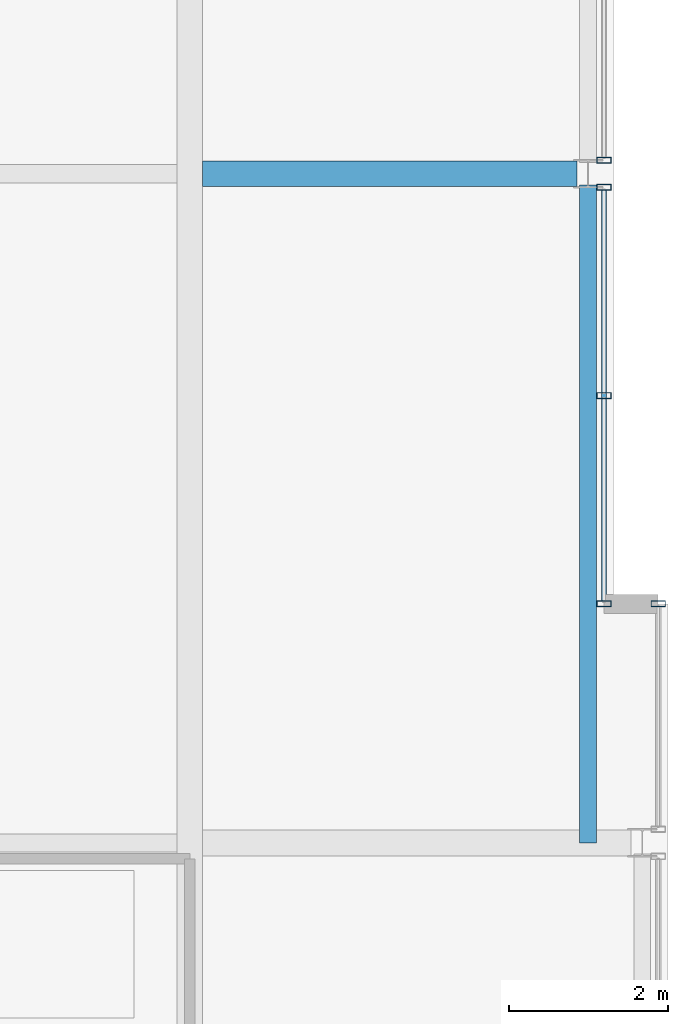
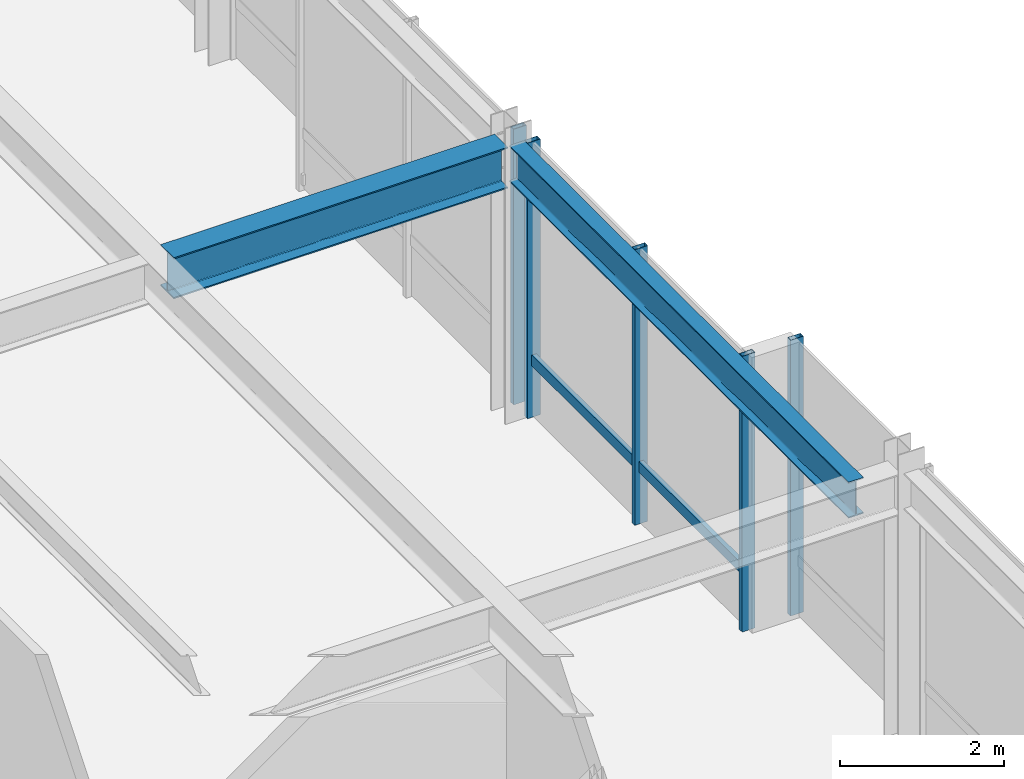
# One storey, part 19 of 34: 6 members, 2 beams, 3 elements without a shape of their own.
"""IFC4 building model written with IfcOpenShell, lengths in metres."""

from ifc_helpers import new_model, si_unit, direction, frame, origin, origin_2d, place, context, subcontext, project, spatial, hollow_rectangle, i_section, extrude, material, layer, layer_set, material_profile, profile_set, type_object, element, aggregate, save


model = new_model("IFC4")

# Units and contexts
model_context = context("Model", 3, precision=1e-05, world=origin(), true_north=direction((0.0, 1.0)))
body_context = subcontext(model_context, "Body", "Model", "MODEL_VIEW")
ifc_project = project(units=[si_unit("LENGTHUNIT", "METRE"), si_unit("AREAUNIT", "SQUARE_METRE"), si_unit("VOLUMEUNIT", "CUBIC_METRE"), si_unit("PLANEANGLEUNIT", "RADIAN"), si_unit("MASSUNIT", "GRAM", prefix="KILO")], contexts=[model_context])

# Site, building, storey
site_placement = place(None, origin())
site = spatial("IfcSite", under=ifc_project, at=site_placement, CompositionType="ELEMENT")
building_placement = place(site_placement, origin())
building = spatial("IfcBuilding", under=site, at=building_placement, Name="Drelvath Grand Hotel", CompositionType="ELEMENT")
storey_placement = place(building_placement, frame((0.0, 0.0, 294.199951171875)))
storey = spatial("IfcBuildingStorey", under=building, at=storey_placement, Name="L77", CompositionType="ELEMENT", Elevation=294.199951171875)

# Curtain wall, members
ifc_material_1 = material(Name="Platinum-Mist Anodised Aluminium Frame", Category="aluminium")
ifc_layer = layer(ifc_material_1, 0.199951171875)
ifc_layer_set = layer_set([ifc_layer], Name="Platinum-Mist Anodised Aluminium Frame")
curtain_wall_type = type_object("IfcCurtainWallType", Name="Stick Curtain Wall CW-05 Platinum Mist High-Rise", PredefinedType="NOTDEFINED", material=ifc_layer_set)
curtain_wall_1_placement = place(storey_placement, origin())
curtain_wall_1 = element("IfcCurtainWall", 1, at=curtain_wall_1_placement, inside=storey, type_object=curtain_wall_type, Name="L77 CW-05 Curtain Wall CW05-L77-EM1", PredefinedType="NOTDEFINED")
ifc_material_profile_1 = material_profile(ifc_material_1, hollow_rectangle(XDim=0.06494140625, YDim=0.159912109375, WallThickness=0.00390625, at=origin_2d()), Name="HSS160X65X4")
ifc_profile_set_1 = profile_set([ifc_material_profile_1], Name="Platinum-Mist Anodised Aluminium Frame")
member_type_1 = type_object("IfcMemberType", Name="Curtain Wall Horizontal Transom CW-05 HSS160X65X4", PredefinedType="USERDEFINED", material=ifc_profile_set_1)
member_1_placement = place(storey_placement, frame((21.39990234375, 26.7900390625, 0.85009765625), z_axis=(0.0, -1.0, 0.0), x_axis=(1.0, 0.0, 0.0)))
member_1 = element("IfcMember", 2, at=member_1_placement, type_object=member_type_1, Name="CW05-L77-EM1 Sill Transom", ObjectType="TRANSOM", PredefinedType="USERDEFINED", context=body_context, shape_type="SweptSolid", body=[
    extrude(hollow_rectangle(XDim=0.06494140625, YDim=0.159912109375, WallThickness=0.00390625, at=origin_2d()), origin(), (0.0, 0.0, 1.0), 5.150146484375),
])
ifc_material_profile_2 = material_profile(ifc_material_1, hollow_rectangle(XDim=0.074951171875, YDim=0.179931640625, WallThickness=0.0048828125, at=origin_2d()), Name="HSS180X75X5")
ifc_profile_set_2 = profile_set([ifc_material_profile_2], Name="Platinum-Mist Anodised Aluminium Frame")
member_type_2 = type_object("IfcMemberType", Name="Curtain Wall Vertical Mullion CW-05 HSS180X75X5", PredefinedType="MULLION", material=ifc_profile_set_2)
member_2_placement = place(storey_placement, frame((21.39990234375, 26.830078125, 0.0), z_axis=(0.0, 0.0, 1.0), x_axis=(0.0, 1.0, 0.0)))
member_2 = element("IfcMember", 3, at=member_2_placement, type_object=member_type_2, Name="CW05-L77-EM1 Mullion 1", PredefinedType="MULLION", context=body_context, shape_type="SweptSolid", body=[
    extrude(hollow_rectangle(XDim=0.074951171875, YDim=0.179931640625, WallThickness=0.0048828125, at=origin_2d()), origin(), (0.0, 0.0, 1.0), 4.10009765625),
])
member_3_placement = place(storey_placement, frame((21.39990234375, 24.215087890625, 0.0), z_axis=(0.0, 0.0, 1.0), x_axis=(0.0, 1.0, 0.0)))
member_3 = element("IfcMember", 4, at=member_3_placement, type_object=member_type_2, Name="CW05-L77-EM1 Mullion 2", PredefinedType="MULLION", context=body_context, shape_type="SweptSolid", body=[
    extrude(hollow_rectangle(XDim=0.074951171875, YDim=0.179931640625, WallThickness=0.0048828125, at=origin_2d()), origin(), (0.0, 0.0, 1.0), 4.10009765625),
])
member_4_placement = place(storey_placement, frame((21.39990234375, 21.60009765625, 0.0), z_axis=(0.0, 0.0, 1.0), x_axis=(0.0, 1.0, 0.0)))
member_4 = element("IfcMember", 5, at=member_4_placement, type_object=member_type_2, Name="CW05-L77-EM1 Mullion 3", PredefinedType="MULLION", context=body_context, shape_type="SweptSolid", body=[
    extrude(hollow_rectangle(XDim=0.074951171875, YDim=0.179931640625, WallThickness=0.0048828125, at=origin_2d()), origin(), (0.0, 0.0, 1.0), 4.10009765625),
])
aggregate(curtain_wall_1, [member_2, member_3, member_4, member_1])

# Curtain wall, member
curtain_wall_2_placement = place(storey_placement, origin())
curtain_wall_2 = element("IfcCurtainWall", 6, at=curtain_wall_2_placement, inside=storey, type_object=curtain_wall_type, Name="L77 CW-05 Curtain Wall CW05-L77-EM2", PredefinedType="NOTDEFINED")
member_5_placement = place(storey_placement, frame((21.39990234375, 27.169921875, 0.0), z_axis=(0.0, 0.0, 1.0), x_axis=(0.0, 1.0, 0.0)))
member_5 = element("IfcMember", 7, at=member_5_placement, type_object=member_type_2, Name="CW05-L77-EM2 Mullion 3", PredefinedType="MULLION", context=body_context, shape_type="SweptSolid", body=[
    extrude(hollow_rectangle(XDim=0.074951171875, YDim=0.179931640625, WallThickness=0.0048828125, at=origin_2d()), origin(), (0.0, 0.0, 1.0), 4.10009765625),
])
aggregate(curtain_wall_2, [member_5])

curtain_wall_3_placement = place(storey_placement, origin())
curtain_wall_3 = element("IfcCurtainWall", 8, at=curtain_wall_3_placement, inside=storey, type_object=curtain_wall_type, Name="L77 CW-05 Curtain Wall CW05-L77-ES2", PredefinedType="NOTDEFINED")
member_6_placement = place(storey_placement, frame((22.080078125, 21.60009765625, 0.0), z_axis=(0.0, 0.0, 1.0), x_axis=(0.0, 1.0, 0.0)))
member_6 = element("IfcMember", 9, at=member_6_placement, type_object=member_type_2, Name="CW05-L77-ES2 Mullion 1", PredefinedType="MULLION", context=body_context, shape_type="SweptSolid", body=[
    extrude(hollow_rectangle(XDim=0.074951171875, YDim=0.179931640625, WallThickness=0.0048828125, at=origin_2d()), origin(), (0.0, 0.0, 1.0), 4.10009765625),
])
aggregate(curtain_wall_3, [member_6])

# Beams
ifc_material_2 = material(Name="Steel ASTM A992 Gr 50", Category="steel")
ifc_material_profile_3 = material_profile(ifc_material_2, i_section(OverallWidth=0.210205078125, OverallDepth=0.53662109375, WebThickness=0.010986328125, FlangeThickness=0.017333984375, FilletRadius=0.01806640625, at=origin_2d()), Name="W21X68")
ifc_profile_set_3 = profile_set([ifc_material_profile_3], Name="Steel ASTM A992 Gr 50")
beam_type_1 = type_object("IfcBeamType", Name="Perimeter Spandrel Beam W21X68", PredefinedType="SPANDREL", material=ifc_profile_set_3)
beam_1_placement = place(storey_placement, frame((21.199951171875, 18.60009765625, 3.831787109375), z_axis=(0.0, 1.0, 0.0), x_axis=(-1.0, 0.0, 0.0)))
element("IfcBeam", 10, at=beam_1_placement, inside=storey, type_object=beam_type_1, Name="L77 Spandrel East Mid S", PredefinedType="SPANDREL", context=body_context, shape_type="SweptSolid", body=[
    extrude(i_section(OverallWidth=0.210205078125, OverallDepth=0.53662109375, WebThickness=0.010986328125, FlangeThickness=0.017333984375, FilletRadius=0.01806640625, at=origin_2d()), origin(), (0.0, 0.0, 1.0), 8.260009765625),
])
ifc_material_profile_4 = material_profile(ifc_material_2, i_section(OverallWidth=0.323974609375, OverallDepth=0.611083984375, WebThickness=0.0126953125, FlangeThickness=0.01904296875, FilletRadius=0.02197265625, at=origin_2d()), Name="W24X104")
ifc_profile_set_4 = profile_set([ifc_material_profile_4], Name="Steel ASTM A992 Gr 50")
beam_type_2 = type_object("IfcBeamType", Name="Primary Floor Girder W24X104", PredefinedType="BEAM", material=ifc_profile_set_4)
beam_2_placement = place(storey_placement, frame((16.362060546875, 27.0, 3.79443359375), z_axis=(1.0, 0.0, 0.0), x_axis=(0.0, 1.0, 0.0)))
element("IfcBeam", 11, at=beam_2_placement, inside=storey, type_object=beam_type_2, Name="L77 East Wing Girder E", PredefinedType="BEAM", context=body_context, shape_type="SweptSolid", body=[
    extrude(i_section(OverallWidth=0.323974609375, OverallDepth=0.611083984375, WebThickness=0.0126953125, FlangeThickness=0.01904296875, FilletRadius=0.02197265625, at=origin_2d()), origin(), (0.0, 0.0, 1.0), 4.697998046875),
])

save(model, "model.ifc")
